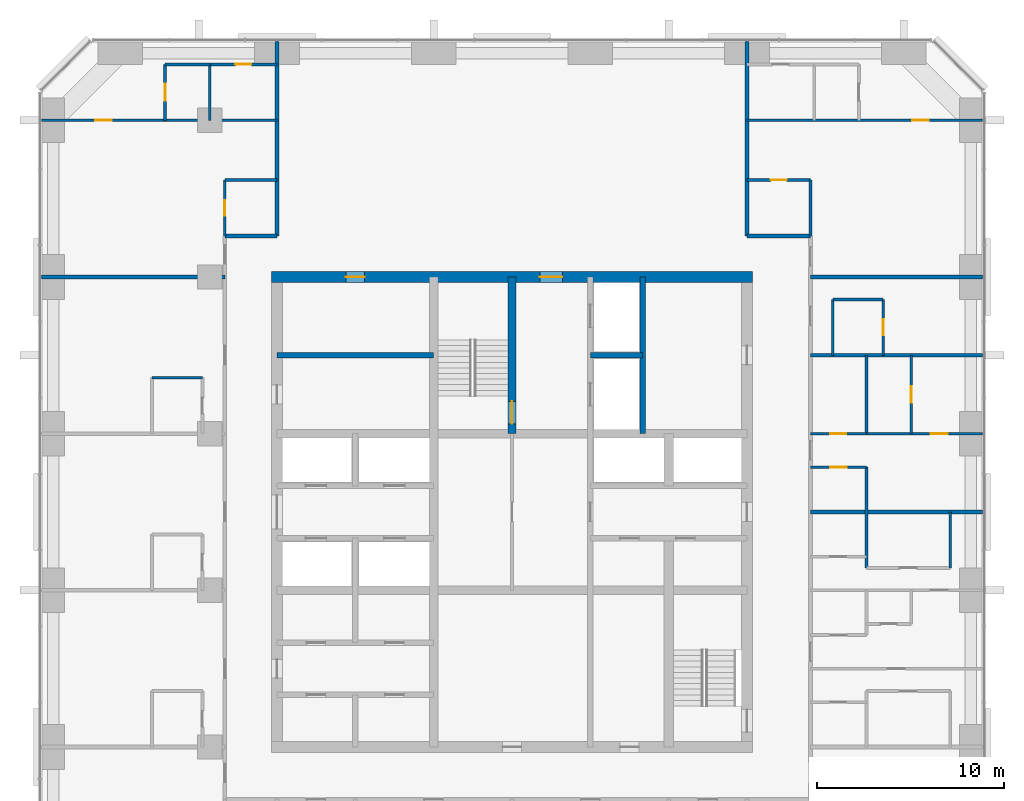
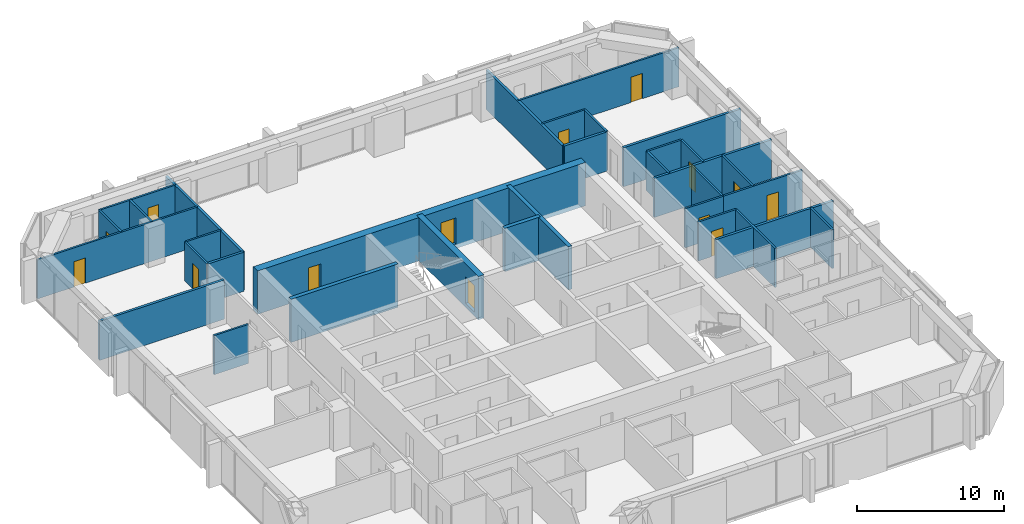
# One storey, part 11 of 13: 34 walls, 14 doors, 14 openings.
"""IFC4 building model written with IfcOpenShell, lengths in metres."""

from ifc_helpers import new_model, si_unit, direction, frame, frame_2d, origin, place, context, subcontext, project, spatial, rectangle, extrude, material, layer, layer_set, type_object, element, fill, save


model = new_model("IFC4")

# Units and contexts
model_context = context("Model", 3, precision=1e-05, world=origin(), true_north=direction((0.0, 1.0)))
body_context = subcontext(model_context, "Body", "Model", "MODEL_VIEW")
ifc_project = project(units=[si_unit("LENGTHUNIT", "METRE"), si_unit("AREAUNIT", "SQUARE_METRE"), si_unit("VOLUMEUNIT", "CUBIC_METRE"), si_unit("PLANEANGLEUNIT", "RADIAN"), si_unit("MASSUNIT", "GRAM", prefix="KILO")], contexts=[model_context])

# Site, building, storey
site_placement = place(None, origin())
site = spatial("IfcSite", under=ifc_project, at=site_placement, CompositionType="ELEMENT")
building_placement = place(site_placement, origin())
building = spatial("IfcBuilding", under=site, at=building_placement, Name="Dunama Terrace Hotel", CompositionType="ELEMENT")
storey_placement = place(building_placement, frame((0.0, 0.0, 195.0)))
storey = spatial("IfcBuildingStorey", under=building, at=storey_placement, Name="L50", CompositionType="ELEMENT", Elevation=195.0)

# Wall, opening, door
ifc_material_1 = material(Name="Gypsum board partition", Category="masonry")
ifc_layer_1 = layer(ifc_material_1, 0.14990234375)
ifc_layer_set_1 = layer_set([ifc_layer_1], Name="Bathroom partition 150")
wall_type_1 = type_object("IfcWallType", Name="Bathroom partition 150", PredefinedType="PARTITIONING", material=ifc_layer_set_1)
wall_1_placement = place(storey_placement, frame((14.0, 44.199951171875, 0.0), z_axis=(0.0, 0.0, 1.0), x_axis=(0.0, 1.0, 0.0)))
wall_1 = element("IfcWall", 1, at=wall_1_placement, inside=storey, type_object=wall_type_1, Name="Bathroom partition 150 L50", PredefinedType="PARTITIONING", context=body_context, shape_type="SweptSolid", body=[
    extrude(rectangle(XDim=3.0, YDim=0.14990234375, at=frame_2d((1.5, 0.0))), origin(), (0.0, 0.0, 1.0), 3.25),
])
opening_1_placement = place(wall_1_placement, frame((1.074951171875, 0.0, 0.0)))
opening_1 = element("IfcOpeningElement", 2, at=opening_1_placement, cuts=wall_1, Name="Opening L48-50-055", PredefinedType="OPENING", context=body_context, shape_type="SweptSolid", body=[
    extrude(rectangle(XDim=0.85009765625, YDim=2.10009765625, at=frame_2d((0.425048828125, 1.050048828125))), frame((0.0, 0.0849609375, 0.0), z_axis=(0.0, -1.0, 0.0), x_axis=(1.0, 0.0, 0.0)), (0.0, 0.0, 1.0), 0.169921875),
])
ifc_material_2 = material(Name="Timber door with steel frame", Category="steel")
door_type_1 = type_object("IfcDoorType", Name="Bathroom door 850", OperationType="SINGLE_SWING_LEFT", PredefinedType="DOOR", material=ifc_material_2)
door_1_placement = place(opening_1_placement, frame((0.85009765625, 0.0, 0.0), z_axis=(0.0, 0.0, 1.0), x_axis=(-1.0, 0.0, 0.0)))
door_1 = element("IfcDoor", 3, at=door_1_placement, inside=storey, type_object=door_type_1, Name="Door to powder room L48-50-055, type D2", OperationType="SINGLE_SWING_RIGHT", OverallHeight=2.10009765625, OverallWidth=0.85009765625, PredefinedType="DOOR", context=body_context, shape_type="SweptSolid", body=[
    extrude(rectangle(XDim=0.85009765625, YDim=2.10009765625, at=frame_2d((0.425048828125, 1.050048828125))), frame((0.0, 0.025146484375, 0.0), z_axis=(0.0, -1.0, 0.0), x_axis=(1.0, 0.0, 0.0)), (0.0, 0.0, 1.0), 0.050048828125),
])
fill(opening_1, door_1)

# Walls
for number, where, z_axis, x_axis, name in (
    (4, (45.39990234375, 44.199951171875, 0.0), (0.0, 0.0, 1.0), (0.0, 1.0, 0.0), "Bathroom partition 150 L50"),
    (5, (46.60009765625, 37.800048828125, 0.0), (0.0, 0.0, 1.0), (0.0, 1.0, 0.0), "Bathroom partition 150 L50"),
):
    element("IfcWall", number, at=place(storey_placement, frame(where, z_axis=z_axis, x_axis=x_axis)), inside=storey, type_object=wall_type_1, Name=name, PredefinedType="PARTITIONING", context=body_context, shape_type="SweptSolid", body=[
        extrude(rectangle(XDim=3.0, YDim=0.14990234375, at=frame_2d((1.5, 0.0))), origin(), (0.0, 0.0, 1.0), 3.25),
    ])

# Wall, opening, door
wall_2_placement = place(storey_placement, frame((49.300048828125, 37.800048828125, 0.0), z_axis=(0.0, 0.0, 1.0), x_axis=(0.0, 1.0, 0.0)))
wall_2 = element("IfcWall", 6, at=wall_2_placement, inside=storey, type_object=wall_type_1, Name="Bathroom partition 150 L50", PredefinedType="PARTITIONING", context=body_context, shape_type="SweptSolid", body=[
    extrude(rectangle(XDim=3.0, YDim=0.14990234375, at=frame_2d((1.5, 0.0))), origin(), (0.0, 0.0, 1.0), 3.25),
])
opening_2_placement = place(wall_2_placement, frame((1.074951171875, 0.0, 0.0)))
opening_2 = element("IfcOpeningElement", 7, at=opening_2_placement, cuts=wall_2, Name="Opening L48-50-032", PredefinedType="OPENING", context=body_context, shape_type="SweptSolid", body=[
    extrude(rectangle(XDim=0.85009765625, YDim=2.10009765625, at=frame_2d((0.425048828125, 1.050048828125))), frame((0.0, 0.0849609375, 0.0), z_axis=(0.0, -1.0, 0.0), x_axis=(1.0, 0.0, 0.0)), (0.0, 0.0, 1.0), 0.169921875),
])
door_2_placement = place(opening_2_placement, origin())
door_2 = element("IfcDoor", 8, at=door_2_placement, inside=storey, type_object=door_type_1, Name="Door to en-suite bathroom L48-50-032, type D2", OperationType="SINGLE_SWING_LEFT", OverallHeight=2.10009765625, OverallWidth=0.85009765625, PredefinedType="DOOR", context=body_context, shape_type="SweptSolid", body=[
    extrude(rectangle(XDim=0.85009765625, YDim=2.10009765625, at=frame_2d((0.425048828125, 1.050048828125))), frame((0.0, 0.02490234375, 0.0), z_axis=(0.0, -1.0, 0.0), x_axis=(1.0, 0.0, 0.0)), (0.0, 0.0, 1.0), 0.050048828125),
])
fill(opening_2, door_2)

wall_3_placement = place(storey_placement, frame((45.39990234375, 33.60009765625, 0.0), z_axis=(0.0, 0.0, 1.0), x_axis=(1.0, 0.0, 0.0)))
wall_3 = element("IfcWall", 9, at=wall_3_placement, inside=storey, type_object=wall_type_1, Name="Bathroom partition 150 L50", PredefinedType="PARTITIONING", context=body_context, shape_type="SweptSolid", body=[
    extrude(rectangle(XDim=3.0, YDim=0.14990234375, at=frame_2d((1.5, 0.0))), origin(), (0.0, 0.0, 1.0), 3.25),
])
opening_3_placement = place(wall_3_placement, frame((1.074951171875, 0.0, 0.0)))
opening_3 = element("IfcOpeningElement", 10, at=opening_3_placement, cuts=wall_3, Name="Opening L48-50-028", PredefinedType="OPENING", context=body_context, shape_type="SweptSolid", body=[
    extrude(rectangle(XDim=0.85009765625, YDim=2.10009765625, at=frame_2d((0.425048828125, 1.050048828125))), frame((0.0, 0.0849609375, 0.0), z_axis=(0.0, -1.0, 0.0), x_axis=(1.0, 0.0, 0.0)), (0.0, 0.0, 1.0), 0.169921875),
])
door_3_placement = place(opening_3_placement, origin())
door_3 = element("IfcDoor", 11, at=door_3_placement, inside=storey, type_object=door_type_1, Name="Door to diplomatic residence bathroom L48-50-028, type D2", OperationType="SINGLE_SWING_LEFT", OverallHeight=2.10009765625, OverallWidth=0.85009765625, PredefinedType="DOOR", context=body_context, shape_type="SweptSolid", body=[
    extrude(rectangle(XDim=0.85009765625, YDim=2.10009765625, at=frame_2d((0.425048828125, 1.050048828125))), frame((0.0, 0.02490234375, 0.0), z_axis=(0.0, -1.0, 0.0), x_axis=(1.0, 0.0, 0.0)), (0.0, 0.0, 1.0), 0.050048828125),
])
fill(opening_3, door_3)

# Walls
for number, where, z_axis, x_axis, name in (
    (12, (10.10009765625, 36.60009765625, 0.0), (0.0, 0.0, 1.0), (1.0, 0.0, 0.0), "Bathroom partition 150 L50"),
    (13, (46.60009765625, 40.800048828125, 0.0), (0.0, 0.0, 1.0), (1.0, 0.0, 0.0), "Bathroom partition 150 L50"),
):
    element("IfcWall", number, at=place(storey_placement, frame(where, z_axis=z_axis, x_axis=x_axis)), inside=storey, type_object=wall_type_1, Name=name, PredefinedType="PARTITIONING", context=body_context, shape_type="SweptSolid", body=[
        extrude(rectangle(XDim=2.699951171875, YDim=0.14990234375, at=frame_2d((1.35009765625, 0.0))), origin(), (0.0, 0.0, 1.0), 3.25),
    ])
wall_4_placement = place(storey_placement, frame((14.0, 47.199951171875, 0.0), z_axis=(0.0, 0.0, 1.0), x_axis=(1.0, 0.0, 0.0)))
element("IfcWall", 14, at=wall_4_placement, inside=storey, type_object=wall_type_1, Name="Bathroom partition 150 L50", PredefinedType="PARTITIONING", context=body_context, shape_type="SweptSolid", body=[
    extrude(rectangle(XDim=2.800048828125, YDim=0.14990234375, at=frame_2d((1.39990234375, 0.0))), origin(), (0.0, 0.0, 1.0), 3.25),
])

# Wall, opening, door
wall_5_placement = place(storey_placement, frame((42.0, 47.199951171875, 0.0), z_axis=(0.0, 0.0, 1.0), x_axis=(1.0, 0.0, 0.0)))
wall_5 = element("IfcWall", 15, at=wall_5_placement, inside=storey, type_object=wall_type_1, Name="Bathroom partition 150 L50", PredefinedType="PARTITIONING", context=body_context, shape_type="SweptSolid", body=[
    extrude(rectangle(XDim=3.39990234375, YDim=0.14990234375, at=frame_2d((1.699951171875, 0.0))), origin(), (0.0, 0.0, 1.0), 3.25),
])
opening_4_placement = place(wall_5_placement, frame((1.27490234375, 0.0, 0.0)))
opening_4 = element("IfcOpeningElement", 16, at=opening_4_placement, cuts=wall_5, Name="Opening L48-50-050", PredefinedType="OPENING", context=body_context, shape_type="SweptSolid", body=[
    extrude(rectangle(XDim=0.85009765625, YDim=2.10009765625, at=frame_2d((0.425048828125, 1.050048828125))), frame((0.0, 0.0849609375, 0.0), z_axis=(0.0, -1.0, 0.0), x_axis=(1.0, 0.0, 0.0)), (0.0, 0.0, 1.0), 0.169921875),
])
door_4_placement = place(opening_4_placement, frame((0.85009765625, 0.0, 0.0), z_axis=(0.0, 0.0, 1.0), x_axis=(-1.0, 0.0, 0.0)))
door_4 = element("IfcDoor", 17, at=door_4_placement, inside=storey, type_object=door_type_1, Name="Door to powder room L48-50-050, type D2", OperationType="SINGLE_SWING_RIGHT", OverallHeight=2.10009765625, OverallWidth=0.85009765625, PredefinedType="DOOR", context=body_context, shape_type="SweptSolid", body=[
    extrude(rectangle(XDim=0.85009765625, YDim=2.10009765625, at=frame_2d((0.425048828125, 1.050048828125))), frame((0.0, 0.025146484375, 0.0), z_axis=(0.0, -1.0, 0.0), x_axis=(1.0, 0.0, 0.0)), (0.0, 0.0, 1.0), 0.050048828125),
])
fill(opening_4, door_4)

wall_6_placement = place(storey_placement, frame((13.199951171875, 53.39990234375, 0.0), z_axis=(0.0, 0.0, 1.0), x_axis=(1.0, 0.0, 0.0)))
wall_6 = element("IfcWall", 18, at=wall_6_placement, inside=storey, type_object=wall_type_1, Name="Bathroom partition 150 L50", PredefinedType="PARTITIONING", context=body_context, shape_type="SweptSolid", body=[
    extrude(rectangle(XDim=3.60009765625, YDim=0.14990234375, at=frame_2d((1.800048828125, 0.0))), origin(), (0.0, 0.0, 1.0), 3.25),
])
opening_5_placement = place(wall_6_placement, frame((1.375, 0.0, 0.0)))
opening_5 = element("IfcOpeningElement", 19, at=opening_5_placement, cuts=wall_6, Name="Opening L48-50-057", PredefinedType="OPENING", context=body_context, shape_type="SweptSolid", body=[
    extrude(rectangle(XDim=0.85009765625, YDim=2.10009765625, at=frame_2d((0.425048828125, 1.050048828125))), frame((0.0, 0.0849609375, 0.0), z_axis=(0.0, -1.0, 0.0), x_axis=(1.0, 0.0, 0.0)), (0.0, 0.0, 1.0), 0.169921875),
])
door_5_placement = place(opening_5_placement, frame((0.85009765625, 0.0, 0.0), z_axis=(0.0, 0.0, 1.0), x_axis=(-1.0, 0.0, 0.0)))
door_5 = element("IfcDoor", 20, at=door_5_placement, inside=storey, type_object=door_type_1, Name="Door to en-suite bathroom L48-50-057, type D2", OperationType="SINGLE_SWING_LEFT", OverallHeight=2.10009765625, OverallWidth=0.85009765625, PredefinedType="DOOR", context=body_context, shape_type="SweptSolid", body=[
    extrude(rectangle(XDim=0.85009765625, YDim=2.10009765625, at=frame_2d((0.425048828125, 1.050048828125))), frame((0.0, 0.025146484375, 0.0), z_axis=(0.0, -1.0, 0.0), x_axis=(1.0, 0.0, 0.0)), (0.0, 0.0, 1.0), 0.050048828125),
])
fill(opening_5, door_5)

# Walls
ifc_material_3 = material(Name="Concrete C50/60", Category="concrete")
ifc_layer_2 = layer(ifc_material_3, 0.300048828125)
ifc_layer_set_2 = layer_set([ifc_layer_2], Name="Core inner wall 300")
wall_type_2 = type_object("IfcWallType", Name="Core inner wall 300", PredefinedType="SHEAR", material=ifc_layer_set_2)
for number, where, z_axis, x_axis, name in (
    (21, (36.39990234375, 33.60009765625, -0.35009765625), (0.0, 0.0, 1.0), (0.0, 1.0, 0.0), "Core inner wall 300 L50"),
    (22, (16.800048828125, 37.800048828125, -0.35009765625), (0.0, 0.0, 1.0), (1.0, 0.0, 0.0), "Core inner wall 300 L50"),
):
    element("IfcWall", number, at=place(storey_placement, frame(where, z_axis=z_axis, x_axis=x_axis)), inside=storey, type_object=wall_type_2, Name=name, PredefinedType="SHEAR", context=body_context, shape_type="SweptSolid", body=[
        extrude(rectangle(XDim=8.39990234375, YDim=0.300048828125, at=frame_2d((4.199951171875, 0.0))), origin(), (0.0, 0.0, 1.0), 3.60009765625),
    ])
wall_7_placement = place(storey_placement, frame((33.60009765625, 37.800048828125, -0.35009765625), z_axis=(0.0, 0.0, 1.0), x_axis=(1.0, 0.0, 0.0)))
element("IfcWall", 23, at=wall_7_placement, inside=storey, type_object=wall_type_2, Name="Core inner wall 300 L50", PredefinedType="SHEAR", context=body_context, shape_type="SweptSolid", body=[
    extrude(rectangle(XDim=2.7998046875, YDim=0.300048828125, at=frame_2d((1.39990234375, 0.0))), origin(), (0.0, 0.0, 1.0), 3.60009765625),
])

# Wall, opening, door
ifc_material_4 = material(Name="Concrete C50/60", Category="concrete")
ifc_layer_3 = layer(ifc_material_4, 0.449951171875)
ifc_layer_set_3 = layer_set([ifc_layer_3], Name="Core inner wall 450")
wall_type_3 = type_object("IfcWallType", Name="Core inner wall 450", PredefinedType="SHEAR", material=ifc_layer_set_3)
wall_8_placement = place(storey_placement, frame((29.39990234375, 33.60009765625, -0.35009765625), z_axis=(0.0, 0.0, 1.0), x_axis=(0.0, 1.0, 0.0)))
wall_8 = element("IfcWall", 24, at=wall_8_placement, inside=storey, type_object=wall_type_3, Name="Core inner wall 450 L50", PredefinedType="SHEAR", context=body_context, shape_type="SweptSolid", body=[
    extrude(rectangle(XDim=8.39990234375, YDim=0.449951171875, at=frame_2d((4.199951171875, 0.0))), origin(), (0.0, 0.0, 1.0), 3.60009765625),
])
opening_6_placement = place(wall_8_placement, frame((0.52490234375, 0.0, 0.35009765625)))
opening_6 = element("IfcOpeningElement", 25, at=opening_6_placement, cuts=wall_8, Name="Opening L48-50-001", PredefinedType="OPENING", context=body_context, shape_type="SweptSolid", body=[
    extrude(rectangle(XDim=1.199951171875, YDim=2.199951171875, at=frame_2d((0.60009765625, 1.10009765625))), frame((0.0, 0.23486328125, 0.0), z_axis=(0.0, -1.0, 0.0), x_axis=(1.0, 0.0, 0.0)), (0.0, 0.0, 1.0), 0.469970703125),
])
ifc_material_5 = material(Name="Timber door with steel frame", Category="steel")
door_type_2 = type_object("IfcDoorType", Name="Stair door 1200", OperationType="SINGLE_SWING_LEFT", PredefinedType="DOOR", material=ifc_material_5)
door_6_placement = place(opening_6_placement, origin())
door_6 = element("IfcDoor", 26, at=door_6_placement, inside=storey, type_object=door_type_2, Name="Stair door ST1 L48-50-001, type D5", OperationType="SINGLE_SWING_LEFT", OverallHeight=2.199951171875, OverallWidth=1.199951171875, PredefinedType="DOOR", context=body_context, shape_type="SweptSolid", body=[
    extrude(rectangle(XDim=1.199951171875, YDim=2.199951171875, at=frame_2d((0.60009765625, 1.10009765625))), frame((0.0, 0.02490234375, 0.0), z_axis=(0.0, -1.0, 0.0), x_axis=(1.0, 0.0, 0.0)), (0.0, 0.0, 1.0), 0.050048828125),
])
fill(opening_6, door_6)

# Wall, openings, doors
ifc_material_6 = material(Name="Concrete C50/60", Category="concrete")
ifc_layer_4 = layer(ifc_material_6, 0.60009765625)
ifc_layer_set_4 = layer_set([ifc_layer_4], Name="Core wall 600")
wall_type_4 = type_object("IfcWallType", Name="Core wall 600", PredefinedType="SHEAR", material=ifc_layer_set_4)
wall_9_placement = place(storey_placement, frame((42.300048828125, 42.0, -0.35009765625), z_axis=(0.0, 0.0, 1.0), x_axis=(-1.0, 0.0, 0.0)))
wall_9 = element("IfcWall", 27, at=wall_9_placement, inside=storey, type_object=wall_type_4, Name="Core wall north L50", PredefinedType="SHEAR", context=body_context, shape_type="SweptSolid", body=[
    extrude(rectangle(XDim=25.800048828125, YDim=0.60009765625, at=frame_2d((12.89990234375, 0.0))), origin(), (0.0, 0.0, 1.0), 3.60009765625),
])
opening_7_placement = place(wall_9_placement, frame((20.800048828125, 0.0, 0.35009765625)))
opening_7 = element("IfcOpeningElement", 28, at=opening_7_placement, cuts=wall_9, Name="Opening L48-50-066", PredefinedType="OPENING", context=body_context, shape_type="SweptSolid", body=[
    extrude(rectangle(XDim=1.0, YDim=2.10009765625, at=frame_2d((0.5, 1.050048828125))), frame((0.0, 0.31005859375, 0.0), z_axis=(0.0, -1.0, 0.0), x_axis=(1.0, 0.0, 0.0)), (0.0, 0.0, 1.0), 0.6201171875),
])
opening_8_placement = place(wall_9_placement, frame((10.199951171875, 0.0, 0.35009765625)))
opening_8 = element("IfcOpeningElement", 29, at=opening_8_placement, cuts=wall_9, Name="Opening L48-50-072", PredefinedType="OPENING", context=body_context, shape_type="SweptSolid", body=[
    extrude(rectangle(XDim=1.199951171875, YDim=2.199951171875, at=frame_2d((0.60009765625, 1.10009765625))), frame((0.0, 0.31005859375, 0.0), z_axis=(0.0, -1.0, 0.0), x_axis=(1.0, 0.0, 0.0)), (0.0, 0.0, 1.0), 0.6201171875),
])
ifc_material_7 = material(Name="Timber door with steel frame", Category="steel")
door_type_3 = type_object("IfcDoorType", Name="Firefighting lobby door 1200", OperationType="SINGLE_SWING_LEFT", PredefinedType="DOOR", material=ifc_material_7)
door_7_placement = place(opening_8_placement, origin())
door_7 = element("IfcDoor", 30, at=door_7_placement, inside=storey, type_object=door_type_3, Name="Door to firefighting lobby L48-50-072, type D4", OperationType="SINGLE_SWING_RIGHT", OverallHeight=2.199951171875, OverallWidth=1.199951171875, PredefinedType="DOOR", context=body_context, shape_type="SweptSolid", body=[
    extrude(rectangle(XDim=1.199951171875, YDim=2.199951171875, at=frame_2d((0.60009765625, 1.10009765625))), frame((0.0, 0.02490234375, 0.0), z_axis=(0.0, -1.0, 0.0), x_axis=(1.0, 0.0, 0.0)), (0.0, 0.0, 1.0), 0.050048828125),
])
fill(opening_8, door_7)
ifc_material_8 = material(Name="Timber door with steel frame", Category="steel")
door_type_4 = type_object("IfcDoorType", Name="Service door 1000", OperationType="SINGLE_SWING_LEFT", PredefinedType="DOOR", material=ifc_material_8)
door_8_placement = place(opening_7_placement, origin())
door_8 = element("IfcDoor", 31, at=door_8_placement, inside=storey, type_object=door_type_4, Name="Door to communications and riser room L48-50-066, type D7", OperationType="SINGLE_SWING_LEFT", OverallHeight=2.10009765625, OverallWidth=1.0, PredefinedType="DOOR", context=body_context, shape_type="SweptSolid", body=[
    extrude(rectangle(XDim=1.0, YDim=2.10009765625, at=frame_2d((0.5, 1.050048828125))), frame((0.0, 0.02490234375, 0.0), z_axis=(0.0, -1.0, 0.0), x_axis=(1.0, 0.0, 0.0)), (0.0, 0.0, 1.0), 0.050048828125),
])
fill(opening_7, door_8)

# Walls
ifc_material_9 = material(Name="Concrete blockwork", Category="masonry")
ifc_layer_5 = layer(ifc_material_9, 0.199951171875)
ifc_layer_set_5 = layer_set([ifc_layer_5], Name="Corridor partition 200")
wall_type_5 = type_object("IfcWallType", Name="Corridor partition 200", PredefinedType="PARTITIONING", material=ifc_layer_set_5)
wall_10_placement = place(storey_placement, frame((16.800048828125, 44.199951171875, 0.0), z_axis=(0.0, 0.0, 1.0), x_axis=(0.0, 1.0, 0.0)))
element("IfcWall", 32, at=wall_10_placement, inside=storey, type_object=wall_type_5, Name="Corridor partition 200 L50", PredefinedType="PARTITIONING", context=body_context, shape_type="SweptSolid", body=[
    extrude(rectangle(XDim=10.41796875, YDim=0.199951171875, at=frame_2d((5.208984375, 0.0))), origin(), (0.0, 0.0, 1.0), 3.25),
])
wall_11_placement = place(storey_placement, frame((14.0, 44.199951171875, 0.0), z_axis=(0.0, 0.0, 1.0), x_axis=(1.0, 0.0, 0.0)))
element("IfcWall", 33, at=wall_11_placement, inside=storey, type_object=wall_type_5, Name="Corridor partition 200 L50", PredefinedType="PARTITIONING", context=body_context, shape_type="SweptSolid", body=[
    extrude(rectangle(XDim=2.800048828125, YDim=0.199951171875, at=frame_2d((1.39990234375, 0.0))), origin(), (0.0, 0.0, 1.0), 3.25),
])
wall_12_placement = place(storey_placement, frame((42.0, 44.199951171875, 0.0), z_axis=(0.0, 0.0, 1.0), x_axis=(1.0, 0.0, 0.0)))
element("IfcWall", 34, at=wall_12_placement, inside=storey, type_object=wall_type_5, Name="Corridor partition 200 L50", PredefinedType="PARTITIONING", context=body_context, shape_type="SweptSolid", body=[
    extrude(rectangle(XDim=3.39990234375, YDim=0.199951171875, at=frame_2d((1.699951171875, 0.0))), origin(), (0.0, 0.0, 1.0), 3.25),
])
wall_13_placement = place(storey_placement, frame((42.0, 54.617919921875, 0.0), z_axis=(0.0, 0.0, 1.0), x_axis=(0.0, -1.0, 0.0)))
element("IfcWall", 35, at=wall_13_placement, inside=storey, type_object=wall_type_5, Name="Corridor partition 200 L50", PredefinedType="PARTITIONING", context=body_context, shape_type="SweptSolid", body=[
    extrude(rectangle(XDim=10.41796875, YDim=0.199951171875, at=frame_2d((5.208984375, 0.0))), origin(), (0.0, 0.0, 1.0), 3.25),
])
ifc_material_10 = material(Name="Concrete blockwork", Category="masonry")
ifc_layer_6 = layer(ifc_material_10, 0.199951171875)
ifc_layer_set_6 = layer_set([ifc_layer_6], Name="Party wall 200")
wall_type_6 = type_object("IfcWallType", Name="Party wall 200", PredefinedType="PARTITIONING", material=ifc_layer_set_6)
for number, where, z_axis, x_axis, name in (
    (36, (45.39990234375, 29.39990234375, 0.0), (0.0, 0.0, 1.0), (1.0, 0.0, 0.0), "Party wall 200 L50"),
    (37, (45.39990234375, 37.800048828125, 0.0), (0.0, 0.0, 1.0), (1.0, 0.0, 0.0), "Party wall 200 L50"),
):
    element("IfcWall", number, at=place(storey_placement, frame(where, z_axis=z_axis, x_axis=x_axis)), inside=storey, type_object=wall_type_6, Name=name, PredefinedType="PARTITIONING", context=body_context, shape_type="SweptSolid", body=[
        extrude(rectangle(XDim=9.218017578125, YDim=0.199951171875, at=frame_2d((4.60888671875, 0.0))), origin(), (0.0, 0.0, 1.0), 3.25),
    ])
wall_14_placement = place(storey_placement, frame((4.181884765625, 42.0, 0.0), z_axis=(0.0, 0.0, 1.0), x_axis=(1.0, 0.0, 0.0)))
element("IfcWall", 38, at=wall_14_placement, inside=storey, type_object=wall_type_6, Name="Party wall 200 L50", PredefinedType="PARTITIONING", context=body_context, shape_type="SweptSolid", body=[
    extrude(rectangle(XDim=9.818115234375, YDim=0.199951171875, at=frame_2d((4.9091796875, 0.0))), origin(), (0.0, 0.0, 1.0), 3.25),
])
wall_15_placement = place(storey_placement, frame((45.39990234375, 42.0, 0.0), z_axis=(0.0, 0.0, 1.0), x_axis=(1.0, 0.0, 0.0)))
element("IfcWall", 39, at=wall_15_placement, inside=storey, type_object=wall_type_6, Name="Party wall 200 L50", PredefinedType="PARTITIONING", context=body_context, shape_type="SweptSolid", body=[
    extrude(rectangle(XDim=9.218017578125, YDim=0.199951171875, at=frame_2d((4.60888671875, 0.0))), origin(), (0.0, 0.0, 1.0), 3.25),
])

# Wall, opening, door
ifc_material_11 = material(Name="Gypsum board partition", Category="masonry")
ifc_layer_7 = layer(ifc_material_11, 0.14990234375)
ifc_layer_set_7 = layer_set([ifc_layer_7], Name="Room partition 150")
wall_type_7 = type_object("IfcWallType", Name="Room partition 150", PredefinedType="PARTITIONING", material=ifc_layer_set_7)
wall_16_placement = place(storey_placement, frame((10.800048828125, 50.39990234375, 0.0), z_axis=(0.0, 0.0, 1.0), x_axis=(0.0, 1.0, 0.0)))
wall_16 = element("IfcWall", 40, at=wall_16_placement, inside=storey, type_object=wall_type_7, Name="Room partition 150 L50", PredefinedType="PARTITIONING", context=body_context, shape_type="SweptSolid", body=[
    extrude(rectangle(XDim=3.0, YDim=0.14990234375, at=frame_2d((1.5, 0.0))), origin(), (0.0, 0.0, 1.0), 3.25),
])
opening_9_placement = place(wall_16_placement, frame((1.050048828125, 0.0, 0.0)))
opening_9 = element("IfcOpeningElement", 41, at=opening_9_placement, cuts=wall_16, Name="Opening L48-50-058", PredefinedType="OPENING", context=body_context, shape_type="SweptSolid", body=[
    extrude(rectangle(XDim=0.89990234375, YDim=2.10009765625, at=frame_2d((0.449951171875, 1.050048828125))), frame((0.0, 0.0849609375, 0.0), z_axis=(0.0, -1.0, 0.0), x_axis=(1.0, 0.0, 0.0)), (0.0, 0.0, 1.0), 0.169921875),
])
ifc_material_12 = material(Name="Timber door with steel frame", Category="steel")
door_type_5 = type_object("IfcDoorType", Name="Suite internal door 900", OperationType="SINGLE_SWING_LEFT", PredefinedType="DOOR", material=ifc_material_12)
door_9_placement = place(opening_9_placement, frame((0.89990234375, 0.0, 0.0), z_axis=(0.0, 0.0, 1.0), x_axis=(-1.0, 0.0, 0.0)))
door_9 = element("IfcDoor", 42, at=door_9_placement, inside=storey, type_object=door_type_5, Name="Door to dressing room L48-50-058, type D16", OperationType="SINGLE_SWING_RIGHT", OverallHeight=2.10009765625, OverallWidth=0.89990234375, PredefinedType="DOOR", context=body_context, shape_type="SweptSolid", body=[
    extrude(rectangle(XDim=0.89990234375, YDim=2.10009765625, at=frame_2d((0.449951171875, 1.050048828125))), frame((0.0, 0.025146484375, 0.0), z_axis=(0.0, -1.0, 0.0), x_axis=(1.0, 0.0, 0.0)), (0.0, 0.0, 1.0), 0.050048828125),
])
fill(opening_9, door_9)

# Walls
wall_17_placement = place(storey_placement, frame((13.199951171875, 50.39990234375, 0.0), z_axis=(0.0, 0.0, 1.0), x_axis=(0.0, 1.0, 0.0)))
element("IfcWall", 43, at=wall_17_placement, inside=storey, type_object=wall_type_7, Name="Room partition 150 L50", PredefinedType="PARTITIONING", context=body_context, shape_type="SweptSolid", body=[
    extrude(rectangle(XDim=3.0, YDim=0.14990234375, at=frame_2d((1.5, 0.0))), origin(), (0.0, 0.0, 1.0), 3.25),
])
wall_18_placement = place(storey_placement, frame((48.39990234375, 26.39990234375, 0.0), z_axis=(0.0, 0.0, 1.0), x_axis=(0.0, 1.0, 0.0)))
element("IfcWall", 44, at=wall_18_placement, inside=storey, type_object=wall_type_7, Name="Room partition 150 L50", PredefinedType="PARTITIONING", context=body_context, shape_type="SweptSolid", body=[
    extrude(rectangle(XDim=5.400146484375, YDim=0.14990234375, at=frame_2d((2.7001953125, 0.0))), origin(), (0.0, 0.0, 1.0), 3.25),
])
wall_19_placement = place(storey_placement, frame((48.39990234375, 33.60009765625, 0.0), z_axis=(0.0, 0.0, 1.0), x_axis=(0.0, 1.0, 0.0)))
element("IfcWall", 45, at=wall_19_placement, inside=storey, type_object=wall_type_7, Name="Room partition 150 L50", PredefinedType="PARTITIONING", context=body_context, shape_type="SweptSolid", body=[
    extrude(rectangle(XDim=4.199951171875, YDim=0.14990234375, at=frame_2d((2.10009765625, 0.0))), origin(), (0.0, 0.0, 1.0), 3.25),
])

# Wall, opening, door
wall_20_placement = place(storey_placement, frame((50.800048828125, 33.60009765625, 0.0), z_axis=(0.0, 0.0, 1.0), x_axis=(0.0, 1.0, 0.0)))
wall_20 = element("IfcWall", 46, at=wall_20_placement, inside=storey, type_object=wall_type_7, Name="Room partition 150 L50", PredefinedType="PARTITIONING", context=body_context, shape_type="SweptSolid", body=[
    extrude(rectangle(XDim=4.199951171875, YDim=0.14990234375, at=frame_2d((2.10009765625, 0.0))), origin(), (0.0, 0.0, 1.0), 3.25),
])
opening_10_placement = place(wall_20_placement, frame((1.64990234375, 0.0, 0.0)))
opening_10 = element("IfcOpeningElement", 47, at=opening_10_placement, cuts=wall_20, Name="Opening L48-50-029", PredefinedType="OPENING", context=body_context, shape_type="SweptSolid", body=[
    extrude(rectangle(XDim=0.89990234375, YDim=2.10009765625, at=frame_2d((0.449951171875, 1.050048828125))), frame((0.0, 0.0849609375, 0.0), z_axis=(0.0, -1.0, 0.0), x_axis=(1.0, 0.0, 0.0)), (0.0, 0.0, 1.0), 0.169921875),
])
door_10_placement = place(opening_10_placement, origin())
door_10 = element("IfcDoor", 48, at=door_10_placement, inside=storey, type_object=door_type_5, Name="Door to walk-in wardrobe L48-50-029, type D16", OperationType="SINGLE_SWING_LEFT", OverallHeight=2.10009765625, OverallWidth=0.89990234375, PredefinedType="DOOR", context=body_context, shape_type="SweptSolid", body=[
    extrude(rectangle(XDim=0.89990234375, YDim=2.10009765625, at=frame_2d((0.449951171875, 1.050048828125))), frame((0.0, 0.02490234375, 0.0), z_axis=(0.0, -1.0, 0.0), x_axis=(1.0, 0.0, 0.0)), (0.0, 0.0, 1.0), 0.050048828125),
])
fill(opening_10, door_10)

# Wall
wall_21_placement = place(storey_placement, frame((52.89990234375, 26.39990234375, 0.0), z_axis=(0.0, 0.0, 1.0), x_axis=(0.0, 1.0, 0.0)))
element("IfcWall", 49, at=wall_21_placement, inside=storey, type_object=wall_type_7, Name="Room partition 150 L50", PredefinedType="PARTITIONING", context=body_context, shape_type="SweptSolid", body=[
    extrude(rectangle(XDim=3.0, YDim=0.14990234375, at=frame_2d((1.5, 0.0))), origin(), (0.0, 0.0, 1.0), 3.25),
])

# Wall, opening, door
wall_22_placement = place(storey_placement, frame((45.39990234375, 31.800048828125, 0.0), z_axis=(0.0, 0.0, 1.0), x_axis=(1.0, 0.0, 0.0)))
wall_22 = element("IfcWall", 50, at=wall_22_placement, inside=storey, type_object=wall_type_7, Name="Room partition 150 L50", PredefinedType="PARTITIONING", context=body_context, shape_type="SweptSolid", body=[
    extrude(rectangle(XDim=3.0, YDim=0.14990234375, at=frame_2d((1.5, 0.0))), origin(), (0.0, 0.0, 1.0), 3.25),
])
opening_11_placement = place(wall_22_placement, frame((1.050048828125, 0.0, 0.0)))
opening_11 = element("IfcOpeningElement", 51, at=opening_11_placement, cuts=wall_22, Name="Opening L48-50-027", PredefinedType="OPENING", context=body_context, shape_type="SweptSolid", body=[
    extrude(rectangle(XDim=0.89990234375, YDim=2.10009765625, at=frame_2d((0.449951171875, 1.050048828125))), frame((0.0, 0.0849609375, 0.0), z_axis=(0.0, -1.0, 0.0), x_axis=(1.0, 0.0, 0.0)), (0.0, 0.0, 1.0), 0.169921875),
])
door_11_placement = place(opening_11_placement, frame((0.89990234375, 0.0, 0.0), z_axis=(0.0, 0.0, 1.0), x_axis=(-1.0, 0.0, 0.0)))
door_11 = element("IfcDoor", 52, at=door_11_placement, inside=storey, type_object=door_type_5, Name="Door to diplomatic residence kitchen L48-50-027, type D16", OperationType="SINGLE_SWING_RIGHT", OverallHeight=2.10009765625, OverallWidth=0.89990234375, PredefinedType="DOOR", context=body_context, shape_type="SweptSolid", body=[
    extrude(rectangle(XDim=0.89990234375, YDim=2.10009765625, at=frame_2d((0.449951171875, 1.050048828125))), frame((0.0, 0.025146484375, 0.0), z_axis=(0.0, -1.0, 0.0), x_axis=(1.0, 0.0, 0.0)), (0.0, 0.0, 1.0), 0.050048828125),
])
fill(opening_11, door_11)

wall_23_placement = place(storey_placement, frame((48.39990234375, 33.60009765625, 0.0), z_axis=(0.0, 0.0, 1.0), x_axis=(1.0, 0.0, 0.0)))
wall_23 = element("IfcWall", 53, at=wall_23_placement, inside=storey, type_object=wall_type_7, Name="Room partition 150 L50", PredefinedType="PARTITIONING", context=body_context, shape_type="SweptSolid", body=[
    extrude(rectangle(XDim=6.218017578125, YDim=0.14990234375, at=frame_2d((3.10888671875, 0.0))), origin(), (0.0, 0.0, 1.0), 3.25),
])
opening_12_placement = place(wall_23_placement, frame((3.449951171875, 0.0, 0.0)))
opening_12 = element("IfcOpeningElement", 54, at=opening_12_placement, cuts=wall_23, Name="Opening L48-50-030", PredefinedType="OPENING", context=body_context, shape_type="SweptSolid", body=[
    extrude(rectangle(XDim=0.89990234375, YDim=2.10009765625, at=frame_2d((0.449951171875, 1.050048828125))), frame((0.0, 0.0849609375, 0.0), z_axis=(0.0, -1.0, 0.0), x_axis=(1.0, 0.0, 0.0)), (0.0, 0.0, 1.0), 0.169921875),
])
door_12_placement = place(opening_12_placement, origin())
door_12 = element("IfcDoor", 55, at=door_12_placement, inside=storey, type_object=door_type_5, Name="Door to diplomatic residence bedroom L48-50-030, type D16", OperationType="SINGLE_SWING_RIGHT", OverallHeight=2.10009765625, OverallWidth=0.89990234375, PredefinedType="DOOR", context=body_context, shape_type="SweptSolid", body=[
    extrude(rectangle(XDim=0.89990234375, YDim=2.10009765625, at=frame_2d((0.449951171875, 1.050048828125))), frame((0.0, 0.02490234375, 0.0), z_axis=(0.0, -1.0, 0.0), x_axis=(1.0, 0.0, 0.0)), (0.0, 0.0, 1.0), 0.050048828125),
])
fill(opening_12, door_12)

wall_24_placement = place(storey_placement, frame((4.181884765625, 50.39990234375, 0.0), z_axis=(0.0, 0.0, 1.0), x_axis=(1.0, 0.0, 0.0)))
wall_24 = element("IfcWall", 56, at=wall_24_placement, inside=storey, type_object=wall_type_7, Name="Room partition 150 L50", PredefinedType="PARTITIONING", context=body_context, shape_type="SweptSolid", body=[
    extrude(rectangle(XDim=12.6181640625, YDim=0.14990234375, at=frame_2d((6.30908203125, 0.0))), origin(), (0.0, 0.0, 1.0), 3.25),
])
opening_13_placement = place(wall_24_placement, frame((2.867919921875, 0.0, 0.0)))
opening_13 = element("IfcOpeningElement", 57, at=opening_13_placement, cuts=wall_24, Name="Opening L48-50-056", PredefinedType="OPENING", context=body_context, shape_type="SweptSolid", body=[
    extrude(rectangle(XDim=0.89990234375, YDim=2.10009765625, at=frame_2d((0.449951171875, 1.050048828125))), frame((0.0, 0.0849609375, 0.0), z_axis=(0.0, -1.0, 0.0), x_axis=(1.0, 0.0, 0.0)), (0.0, 0.0, 1.0), 0.169921875),
])
door_13_placement = place(opening_13_placement, origin())
door_13 = element("IfcDoor", 58, at=door_13_placement, inside=storey, type_object=door_type_5, Name="Door to corner suite bedroom L48-50-056, type D16", OperationType="SINGLE_SWING_LEFT", OverallHeight=2.10009765625, OverallWidth=0.89990234375, PredefinedType="DOOR", context=body_context, shape_type="SweptSolid", body=[
    extrude(rectangle(XDim=0.89990234375, YDim=2.10009765625, at=frame_2d((0.449951171875, 1.050048828125))), frame((0.0, 0.02490234375, 0.0), z_axis=(0.0, -1.0, 0.0), x_axis=(1.0, 0.0, 0.0)), (0.0, 0.0, 1.0), 0.050048828125),
])
fill(opening_13, door_13)

wall_25_placement = place(storey_placement, frame((42.0, 50.39990234375, 0.0), z_axis=(0.0, 0.0, 1.0), x_axis=(1.0, 0.0, 0.0)))
wall_25 = element("IfcWall", 59, at=wall_25_placement, inside=storey, type_object=wall_type_7, Name="Room partition 150 L50", PredefinedType="PARTITIONING", context=body_context, shape_type="SweptSolid", body=[
    extrude(rectangle(XDim=12.617919921875, YDim=0.14990234375, at=frame_2d((6.30908203125, 0.0))), origin(), (0.0, 0.0, 1.0), 3.25),
])
opening_14_placement = place(wall_25_placement, frame((8.85009765625, 0.0, 0.0)))
opening_14 = element("IfcOpeningElement", 60, at=opening_14_placement, cuts=wall_25, Name="Opening L48-50-051", PredefinedType="OPENING", context=body_context, shape_type="SweptSolid", body=[
    extrude(rectangle(XDim=0.89990234375, YDim=2.10009765625, at=frame_2d((0.449951171875, 1.050048828125))), frame((0.0, 0.0849609375, 0.0), z_axis=(0.0, -1.0, 0.0), x_axis=(1.0, 0.0, 0.0)), (0.0, 0.0, 1.0), 0.169921875),
])
door_14_placement = place(opening_14_placement, origin())
door_14 = element("IfcDoor", 61, at=door_14_placement, inside=storey, type_object=door_type_5, Name="Door to corner suite bedroom L48-50-051, type D16", OperationType="SINGLE_SWING_RIGHT", OverallHeight=2.10009765625, OverallWidth=0.89990234375, PredefinedType="DOOR", context=body_context, shape_type="SweptSolid", body=[
    extrude(rectangle(XDim=0.89990234375, YDim=2.10009765625, at=frame_2d((0.449951171875, 1.050048828125))), frame((0.0, 0.02490234375, 0.0), z_axis=(0.0, -1.0, 0.0), x_axis=(1.0, 0.0, 0.0)), (0.0, 0.0, 1.0), 0.050048828125),
])
fill(opening_14, door_14)

# Wall
wall_26_placement = place(storey_placement, frame((10.800048828125, 53.39990234375, 0.0), z_axis=(0.0, 0.0, 1.0), x_axis=(1.0, 0.0, 0.0)))
element("IfcWall", 62, at=wall_26_placement, inside=storey, type_object=wall_type_7, Name="Room partition 150 L50", PredefinedType="PARTITIONING", context=body_context, shape_type="SweptSolid", body=[
    extrude(rectangle(XDim=2.39990234375, YDim=0.14990234375, at=frame_2d((1.199951171875, 0.0))), origin(), (0.0, 0.0, 1.0), 3.25),
])

save(model, "model.ifc")
